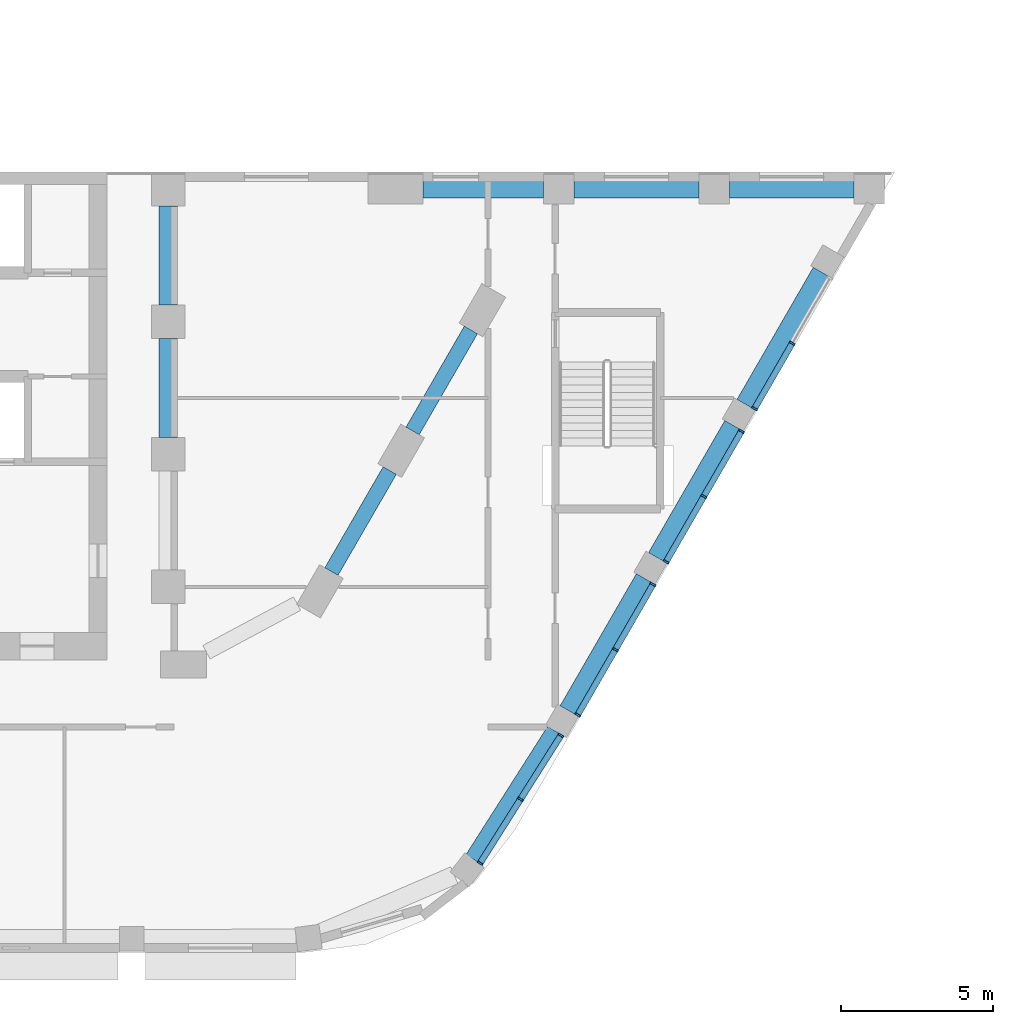
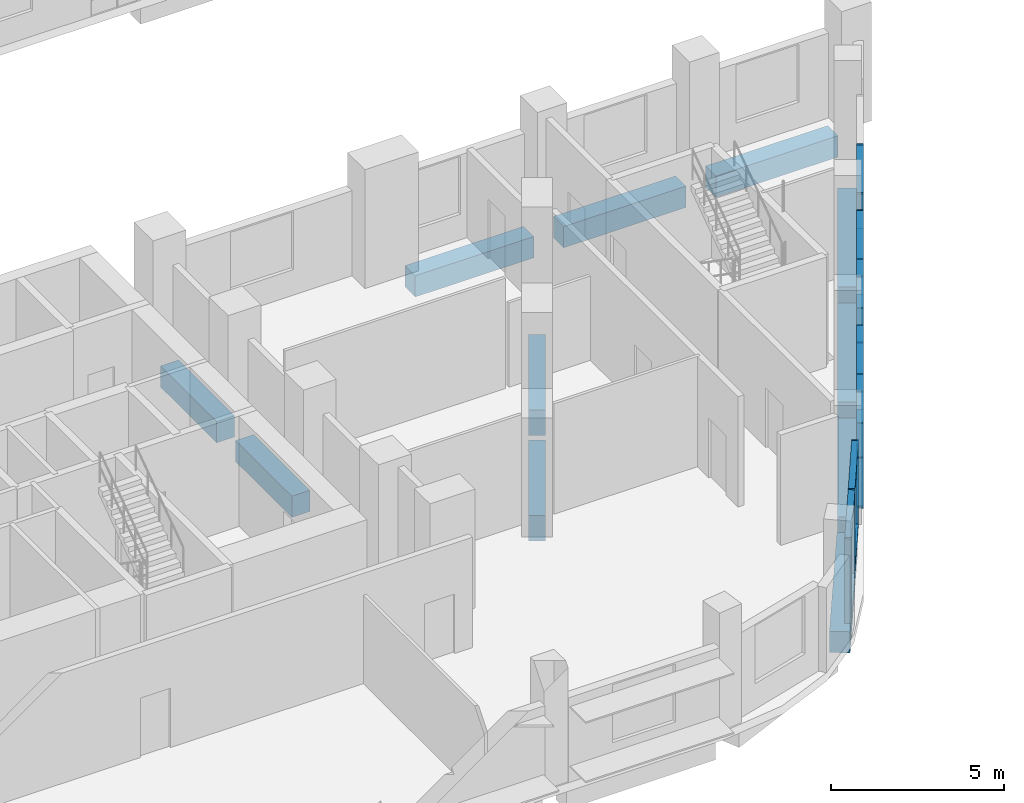
# One storey, part 2 of 33: 25 members, 11 beams, 4 elements without a shape of their own.
"""IFC4 building model written with IfcOpenShell, lengths in metres."""

from ifc_helpers import new_model, si_unit, direction, frame, origin, origin_2d, place, context, subcontext, project, spatial, rectangle, extrude, material, layer, layer_set, material_profile, profile_set, type_object, element, aggregate, save


model = new_model("IFC4")

# Units and contexts
model_context = context("Model", 3, precision=1e-05, world=origin(), true_north=direction((0.0, 1.0)))
body_context = subcontext(model_context, "Body", "Model", "MODEL_VIEW")
ifc_project = project(units=[si_unit("LENGTHUNIT", "METRE"), si_unit("AREAUNIT", "SQUARE_METRE"), si_unit("VOLUMEUNIT", "CUBIC_METRE"), si_unit("PLANEANGLEUNIT", "RADIAN"), si_unit("MASSUNIT", "GRAM", prefix="KILO")], contexts=[model_context])

# Site, building, storey
site_placement = place(None, origin())
site = spatial("IfcSite", under=ifc_project, at=site_placement, CompositionType="ELEMENT")
building_placement = place(site_placement, origin())
building = spatial("IfcBuilding", under=site, at=building_placement, Name="Nakaniwa Court", CompositionType="ELEMENT")
storey_placement = place(building_placement, frame((0.0, 0.0, 19.800048828125)))
storey = spatial("IfcBuildingStorey", under=building, at=storey_placement, Name="L04", CompositionType="ELEMENT", Elevation=19.800048828125)

# Beams
ifc_material_1 = material(Name="Concrete C100/115", Category="concrete")
ifc_material_profile_1 = material_profile(ifc_material_1, rectangle(XDim=0.5, YDim=0.89990234375, at=origin_2d()), Name="Concrete C100/115 RC 500x900 spandrel beam")
ifc_profile_set_1 = profile_set([ifc_material_profile_1], Name="Concrete C100/115")
beam_type_1 = type_object("IfcBeamType", Name="Concrete C100/115 RC 500x900 spandrel beam", PredefinedType="BEAM", material=ifc_profile_set_1)
beam_1_placement = place(storey_placement, frame((95.357421875, 59.5, -0.75), z_axis=(0.500009674092, 0.866019818373, 0.0), x_axis=(-0.866019818373, 0.500009674092, 0.0)))
element("IfcBeam", 1, at=beam_1_placement, inside=storey, type_object=beam_type_1, Name="SPANDREL BEAM", PredefinedType="BEAM", context=body_context, shape_type="SweptSolid", body=[
    extrude(rectangle(XDim=0.5, YDim=0.89990234375, at=origin_2d()), origin(), (0.0, 0.0, 1.0), 3.826171875),
])
beam_2_placement = place(storey_placement, frame((98.0205078125, 64.1123046875, -0.75), z_axis=(0.499961815444, 0.866047448526, 0.0), x_axis=(-0.866047448526, 0.499961815444, 0.0)))
element("IfcBeam", 2, at=beam_2_placement, inside=storey, type_object=beam_type_1, Name="SPANDREL BEAM", PredefinedType="BEAM", context=body_context, shape_type="SweptSolid", body=[
    extrude(rectangle(XDim=0.5, YDim=0.89990234375, at=origin_2d()), origin(), (0.0, 0.0, 1.0), 3.825927734375),
])
ifc_material_profile_2 = material_profile(ifc_material_1, rectangle(XDim=0.60009765625, YDim=0.75, at=origin_2d()), Name="Concrete C100/115 RC 600x750 ring beam")
ifc_profile_set_2 = profile_set([ifc_material_profile_2], Name="Concrete C100/115")
beam_type_2 = type_object("IfcBeamType", Name="Concrete C100/115 RC 600x750 ring beam", PredefinedType="BEAM", material=ifc_profile_set_2)
for number, where, z_axis, x_axis, name in (
    (3, (90.0, 63.89990234375, -0.675048828125), (0.0, 1.0, 0.0), (-1.0, 0.0, 0.0), "RING BEAM"),
    (4, (90.0, 68.25, -0.675048828125), (0.0, 1.0, 0.0), (-1.0, 0.0, 0.0), "RING BEAM"),
):
    element("IfcBeam", number, at=place(storey_placement, frame(where, z_axis=z_axis, x_axis=x_axis)), inside=storey, type_object=beam_type_2, Name=name, PredefinedType="BEAM", context=body_context, shape_type="SweptSolid", body=[
        extrude(rectangle(XDim=0.60009765625, YDim=0.75, at=origin_2d()), origin(), (0.0, 0.0, 1.0), 3.25),
    ])
beam_3_placement = place(storey_placement, frame((100.025390625, 50.0546875, -0.675048828125), z_axis=(0.537280707884, 0.843403486438, 0.0), x_axis=(-0.843403486438, 0.537280707884, 0.0)))
element("IfcBeam", 5, at=beam_3_placement, inside=storey, type_object=beam_type_2, Name="RING BEAM", PredefinedType="BEAM", context=body_context, shape_type="SweptSolid", body=[
    extrude(rectangle(XDim=0.60009765625, YDim=0.75, at=origin_2d()), origin(), (0.0, 0.0, 1.0), 4.9892578125),
])
for number, where, z_axis, x_axis, name in (
    (6, (103.12109375, 54.94677734375, -0.675048828125), (0.499997052475, 0.866027105532, 0.0), (-0.866027105532, 0.499997052475, 0.0), "RING BEAM"),
    (7, (106.022216796875, 59.9716796875, -0.675048828125), (0.499960447986, 0.866048237946, 0.0), (-0.866048237946, 0.499960447986, 0.0), "RING BEAM"),
    (8, (108.92333984375, 64.99658203125, -0.675048828125), (0.499997052475, 0.866027105532, 0.0), (-0.866027105532, 0.499997052475, 0.0), "RING BEAM"),
):
    element("IfcBeam", number, at=place(storey_placement, frame(where, z_axis=z_axis, x_axis=x_axis)), inside=storey, type_object=beam_type_2, Name=name, PredefinedType="BEAM", context=body_context, shape_type="SweptSolid", body=[
        extrude(rectangle(XDim=0.60009765625, YDim=0.75, at=origin_2d()), origin(), (0.0, 0.0, 1.0), 5.00244140625),
    ])
beam_4_placement = place(storey_placement, frame((98.35791015625, 72.050048828125, -0.675048828125), z_axis=(1.0, 0.0, 0.0), x_axis=(0.0, 1.0, 0.0)))
element("IfcBeam", 9, at=beam_4_placement, inside=storey, type_object=beam_type_2, Name="RING BEAM", PredefinedType="BEAM", context=body_context, shape_type="SweptSolid", body=[
    extrude(rectangle(XDim=0.60009765625, YDim=0.75, at=origin_2d()), origin(), (0.0, 0.0, 1.0), 3.965087890625),
])
beam_5_placement = place(storey_placement, frame((103.322998046875, 72.050048828125, -0.675048828125), z_axis=(1.0, 0.0, 0.0), x_axis=(0.0, 1.0, 0.0)))
element("IfcBeam", 10, at=beam_5_placement, inside=storey, type_object=beam_type_2, Name="RING BEAM", PredefinedType="BEAM", context=body_context, shape_type="SweptSolid", body=[
    extrude(rectangle(XDim=0.60009765625, YDim=0.75, at=origin_2d()), origin(), (0.0, 0.0, 1.0), 4.0859375),
])
beam_6_placement = place(storey_placement, frame((108.408935546875, 72.050048828125, -0.675048828125), z_axis=(1.0, 0.0, 0.0), x_axis=(0.0, 1.0, 0.0)))
element("IfcBeam", 11, at=beam_6_placement, inside=storey, type_object=beam_type_2, Name="RING BEAM", PredefinedType="BEAM", context=body_context, shape_type="SweptSolid", body=[
    extrude(rectangle(XDim=0.60009765625, YDim=0.75, at=origin_2d()), origin(), (0.0, 0.0, 1.0), 4.087158203125),
])

# Curtain wall, members
ifc_material_2 = material(Name="Black anodised aluminium frame with dark low-E laminated double glazing", Category="aluminium")
ifc_layer = layer(ifc_material_2, 0.199951171875)
ifc_layer_set = layer_set([ifc_layer], Name="Black anodised aluminium frame with dark low-E laminated double glazing")
curtain_wall_type = type_object("IfcCurtainWallType", Name="Podium unitised curtain wall", PredefinedType="NOTDEFINED", material=ifc_layer_set)
curtain_wall_1_placement = place(storey_placement, origin())
curtain_wall_1 = element("IfcCurtainWall", 12, at=curtain_wall_1_placement, inside=storey, type_object=curtain_wall_type, Name="L04 curtain wall CW1 00", PredefinedType="NOTDEFINED")
ifc_material_3 = material(Name="Black anodised aluminium extrusion", Category="aluminium")
ifc_material_profile_3 = material_profile(ifc_material_3, rectangle(XDim=0.199951171875, YDim=0.06494140625, at=origin_2d()), Name="Podium unitised curtain wall mullion 65x200")
ifc_profile_set_3 = profile_set([ifc_material_profile_3], Name="Black anodised aluminium extrusion")
member_type_1 = type_object("IfcMemberType", Name="Podium unitised curtain wall mullion 65x200", PredefinedType="MULLION", material=ifc_profile_set_3)
member_1_placement = place(storey_placement, frame((103.4384765625, 54.79638671875, 0.0), z_axis=(0.0, 0.0, 1.0), x_axis=(-0.866037354758, 0.499979299736, 0.0)))
member_1 = element("IfcMember", 13, at=member_1_placement, type_object=member_type_1, Name="CW1 mullion 1", PredefinedType="MULLION", context=body_context, shape_type="SweptSolid", body=[
    extrude(rectangle(XDim=0.199951171875, YDim=0.06494140625, at=origin_2d()), origin(), (0.0, 0.0, 1.0), 3.0),
])
member_2_placement = place(storey_placement, frame((104.6748046875, 56.93798828125, 0.0), z_axis=(0.0, 0.0, 1.0), x_axis=(-0.866037354758, 0.499979299736, 0.0)))
member_2 = element("IfcMember", 14, at=member_2_placement, type_object=member_type_1, Name="CW1 mullion 2", PredefinedType="MULLION", context=body_context, shape_type="SweptSolid", body=[
    extrude(rectangle(XDim=0.199951171875, YDim=0.06494140625, at=origin_2d()), origin(), (0.0, 0.0, 1.0), 3.0),
])
member_3_placement = place(storey_placement, frame((105.9111328125, 59.079345703125, 0.0), z_axis=(0.0, 0.0, 1.0), x_axis=(-0.866037354758, 0.499979299736, 0.0)))
member_3 = element("IfcMember", 15, at=member_3_placement, type_object=member_type_1, Name="CW1 mullion 3", PredefinedType="MULLION", context=body_context, shape_type="SweptSolid", body=[
    extrude(rectangle(XDim=0.199951171875, YDim=0.06494140625, at=origin_2d()), origin(), (0.0, 0.0, 1.0), 3.0),
])

curtain_wall_2_placement = place(storey_placement, origin())
curtain_wall_2 = element("IfcCurtainWall", 16, at=curtain_wall_2_placement, inside=storey, type_object=curtain_wall_type, Name="L04 curtain wall CW1 01", PredefinedType="NOTDEFINED")
member_4_placement = place(storey_placement, frame((106.339599609375, 59.821533203125, 0.0), z_axis=(0.0, 0.0, 1.0), x_axis=(-0.866032365426, 0.499987941889, 0.0)))
member_4 = element("IfcMember", 17, at=member_4_placement, type_object=member_type_1, Name="CW1 mullion 1", PredefinedType="MULLION", context=body_context, shape_type="SweptSolid", body=[
    extrude(rectangle(XDim=0.199951171875, YDim=0.06494140625, at=origin_2d()), origin(), (0.0, 0.0, 1.0), 3.0),
])
member_5_placement = place(storey_placement, frame((107.575927734375, 61.962890625, 0.0), z_axis=(0.0, 0.0, 1.0), x_axis=(-0.866032365426, 0.499987941889, 0.0)))
member_5 = element("IfcMember", 18, at=member_5_placement, type_object=member_type_1, Name="CW1 mullion 2", PredefinedType="MULLION", context=body_context, shape_type="SweptSolid", body=[
    extrude(rectangle(XDim=0.199951171875, YDim=0.06494140625, at=origin_2d()), origin(), (0.0, 0.0, 1.0), 3.0),
])
member_6_placement = place(storey_placement, frame((108.812255859375, 64.104248046875, 0.0), z_axis=(0.0, 0.0, 1.0), x_axis=(-0.866032365426, 0.499987941889, 0.0)))
member_6 = element("IfcMember", 19, at=member_6_placement, type_object=member_type_1, Name="CW1 mullion 3", PredefinedType="MULLION", context=body_context, shape_type="SweptSolid", body=[
    extrude(rectangle(XDim=0.199951171875, YDim=0.06494140625, at=origin_2d()), origin(), (0.0, 0.0, 1.0), 3.0),
])

curtain_wall_3_placement = place(storey_placement, origin())
curtain_wall_3 = element("IfcCurtainWall", 20, at=curtain_wall_3_placement, inside=storey, type_object=curtain_wall_type, Name="L04 curtain wall CW1 02", PredefinedType="NOTDEFINED")
member_7_placement = place(storey_placement, frame((109.24072265625, 64.846435546875, 0.0), z_axis=(0.0, 0.0, 1.0), x_axis=(-0.866023723106, 0.500002911009, 0.0)))
member_7 = element("IfcMember", 21, at=member_7_placement, type_object=member_type_1, Name="CW1 mullion 1", PredefinedType="MULLION", context=body_context, shape_type="SweptSolid", body=[
    extrude(rectangle(XDim=0.199951171875, YDim=0.06494140625, at=origin_2d()), origin(), (0.0, 0.0, 1.0), 3.0),
])
member_8_placement = place(storey_placement, frame((110.47705078125, 66.98779296875, 0.0), z_axis=(0.0, 0.0, 1.0), x_axis=(-0.866023723106, 0.500002911009, 0.0)))
member_8 = element("IfcMember", 22, at=member_8_placement, type_object=member_type_1, Name="CW1 mullion 2", PredefinedType="MULLION", context=body_context, shape_type="SweptSolid", body=[
    extrude(rectangle(XDim=0.199951171875, YDim=0.06494140625, at=origin_2d()), origin(), (0.0, 0.0, 1.0), 3.0),
])

curtain_wall_4_placement = place(storey_placement, origin())
curtain_wall_4 = element("IfcCurtainWall", 23, at=curtain_wall_4_placement, inside=storey, type_object=curtain_wall_type, Name="L04 curtain wall CW1 26", PredefinedType="NOTDEFINED")
member_9_placement = place(storey_placement, frame((100.235595703125, 49.93505859375, 0.0), z_axis=(0.0, 0.0, 1.0), x_axis=(-0.845107295343, 0.534596725914, 0.0)))
member_9 = element("IfcMember", 24, at=member_9_placement, type_object=member_type_1, Name="CW1 mullion 1", PredefinedType="MULLION", context=body_context, shape_type="SweptSolid", body=[
    extrude(rectangle(XDim=0.199951171875, YDim=0.06494140625, at=origin_2d()), origin(), (0.0, 0.0, 1.0), 3.0),
])
member_10_placement = place(storey_placement, frame((101.560546875, 52.029541015625, 0.0), z_axis=(0.0, 0.0, 1.0), x_axis=(-0.845107295343, 0.534596725914, 0.0)))
member_10 = element("IfcMember", 25, at=member_10_placement, type_object=member_type_1, Name="CW1 mullion 2", PredefinedType="MULLION", context=body_context, shape_type="SweptSolid", body=[
    extrude(rectangle(XDim=0.199951171875, YDim=0.06494140625, at=origin_2d()), origin(), (0.0, 0.0, 1.0), 3.0),
])
member_11_placement = place(storey_placement, frame((102.885498046875, 54.1240234375, 0.0), z_axis=(0.0, 0.0, 1.0), x_axis=(-0.845107295343, 0.534596725914, 0.0)))
member_11 = element("IfcMember", 26, at=member_11_placement, type_object=member_type_1, Name="CW1 mullion 3", PredefinedType="MULLION", context=body_context, shape_type="SweptSolid", body=[
    extrude(rectangle(XDim=0.199951171875, YDim=0.06494140625, at=origin_2d()), origin(), (0.0, 0.0, 1.0), 3.0),
])

# Member
ifc_material_profile_4 = material_profile(ifc_material_3, rectangle(XDim=0.199951171875, YDim=0.050048828125, at=origin_2d()), Name="Podium unitised curtain wall transom 50x200")
ifc_profile_set_4 = profile_set([ifc_material_profile_4], Name="Black anodised aluminium extrusion")
member_type_2 = type_object("IfcMemberType", Name="Podium unitised curtain wall transom 50x200", PredefinedType="USERDEFINED", material=ifc_profile_set_4)
member_12_placement = place(storey_placement, frame((103.45458984375, 54.82470703125, 0.02490234375), z_axis=(0.50003260427, 0.866006578882, 0.0), x_axis=(-0.866006578882, 0.50003260427, 0.0)))
member_12 = element("IfcMember", 27, at=member_12_placement, type_object=member_type_2, Name="CW1 transom 1.1", ObjectType="TRANSOM", PredefinedType="USERDEFINED", context=body_context, shape_type="SweptSolid", body=[
    extrude(rectangle(XDim=0.199951171875, YDim=0.050048828125, at=origin_2d()), origin(), (0.0, 0.0, 1.0), 2.407470703125),
])

member_13_placement = place(storey_placement, frame((103.45458984375, 54.82470703125, 2.974853515625), z_axis=(0.50003260427, 0.866006578882, 0.0), x_axis=(-0.866006578882, 0.50003260427, 0.0)))
member_13 = element("IfcMember", 28, at=member_13_placement, type_object=member_type_2, Name="CW1 transom 1.2", ObjectType="TRANSOM", PredefinedType="USERDEFINED", context=body_context, shape_type="SweptSolid", body=[
    extrude(rectangle(XDim=0.199951171875, YDim=0.050048828125, at=origin_2d()), origin(), (0.0, 0.0, 1.0), 2.407470703125),
])

member_14_placement = place(storey_placement, frame((104.69091796875, 56.966064453125, 0.02490234375), z_axis=(0.499988695522, 0.866031930329, 0.0), x_axis=(-0.866031930329, 0.499988695522, 0.0)))
member_14 = element("IfcMember", 29, at=member_14_placement, type_object=member_type_2, Name="CW1 transom 2.1", ObjectType="TRANSOM", PredefinedType="USERDEFINED", context=body_context, shape_type="SweptSolid", body=[
    extrude(rectangle(XDim=0.199951171875, YDim=0.050048828125, at=origin_2d()), origin(), (0.0, 0.0, 1.0), 2.40771484375),
])

member_15_placement = place(storey_placement, frame((104.69091796875, 56.966064453125, 2.974853515625), z_axis=(0.499988695522, 0.866031930329, 0.0), x_axis=(-0.866031930329, 0.499988695522, 0.0)))
member_15 = element("IfcMember", 30, at=member_15_placement, type_object=member_type_2, Name="CW1 transom 2.2", ObjectType="TRANSOM", PredefinedType="USERDEFINED", context=body_context, shape_type="SweptSolid", body=[
    extrude(rectangle(XDim=0.199951171875, YDim=0.050048828125, at=origin_2d()), origin(), (0.0, 0.0, 1.0), 2.40771484375),
])

aggregate(curtain_wall_1, [member_1, member_2, member_3, member_12, member_13, member_14, member_15])

member_16_placement = place(storey_placement, frame((106.355712890625, 59.849609375, 0.02490234375), z_axis=(0.499988695522, 0.866031930329, 0.0), x_axis=(-0.866031930329, 0.499988695522, 0.0)))
member_16 = element("IfcMember", 31, at=member_16_placement, type_object=member_type_2, Name="CW1 transom 1.1", ObjectType="TRANSOM", PredefinedType="USERDEFINED", context=body_context, shape_type="SweptSolid", body=[
    extrude(rectangle(XDim=0.199951171875, YDim=0.050048828125, at=origin_2d()), origin(), (0.0, 0.0, 1.0), 2.40771484375),
])

member_17_placement = place(storey_placement, frame((106.355712890625, 59.849609375, 2.974853515625), z_axis=(0.499988695522, 0.866031930329, 0.0), x_axis=(-0.866031930329, 0.499988695522, 0.0)))
member_17 = element("IfcMember", 32, at=member_17_placement, type_object=member_type_2, Name="CW1 transom 1.2", ObjectType="TRANSOM", PredefinedType="USERDEFINED", context=body_context, shape_type="SweptSolid", body=[
    extrude(rectangle(XDim=0.199951171875, YDim=0.050048828125, at=origin_2d()), origin(), (0.0, 0.0, 1.0), 2.40771484375),
])

member_18_placement = place(storey_placement, frame((107.592041015625, 61.990966796875, 0.02490234375), z_axis=(0.499988695522, 0.866031930329, 0.0), x_axis=(-0.866031930329, 0.499988695522, 0.0)))
member_18 = element("IfcMember", 33, at=member_18_placement, type_object=member_type_2, Name="CW1 transom 2.1", ObjectType="TRANSOM", PredefinedType="USERDEFINED", context=body_context, shape_type="SweptSolid", body=[
    extrude(rectangle(XDim=0.199951171875, YDim=0.050048828125, at=origin_2d()), origin(), (0.0, 0.0, 1.0), 2.40771484375),
])

member_19_placement = place(storey_placement, frame((107.592041015625, 61.990966796875, 2.974853515625), z_axis=(0.499988695522, 0.866031930329, 0.0), x_axis=(-0.866031930329, 0.499988695522, 0.0)))
member_19 = element("IfcMember", 34, at=member_19_placement, type_object=member_type_2, Name="CW1 transom 2.2", ObjectType="TRANSOM", PredefinedType="USERDEFINED", context=body_context, shape_type="SweptSolid", body=[
    extrude(rectangle(XDim=0.199951171875, YDim=0.050048828125, at=origin_2d()), origin(), (0.0, 0.0, 1.0), 2.40771484375),
])

aggregate(curtain_wall_2, [member_4, member_5, member_6, member_16, member_17, member_18, member_19])

member_20_placement = place(storey_placement, frame((109.2568359375, 64.87451171875, 0.02490234375), z_axis=(0.499988695522, 0.866031930329, 0.0), x_axis=(-0.866031930329, 0.499988695522, 0.0)))
member_20 = element("IfcMember", 35, at=member_20_placement, type_object=member_type_2, Name="CW1 transom 1.1", ObjectType="TRANSOM", PredefinedType="USERDEFINED", context=body_context, shape_type="SweptSolid", body=[
    extrude(rectangle(XDim=0.199951171875, YDim=0.050048828125, at=origin_2d()), origin(), (0.0, 0.0, 1.0), 2.40771484375),
])

member_21_placement = place(storey_placement, frame((109.2568359375, 64.87451171875, 2.974853515625), z_axis=(0.499988695522, 0.866031930329, 0.0), x_axis=(-0.866031930329, 0.499988695522, 0.0)))
member_21 = element("IfcMember", 36, at=member_21_placement, type_object=member_type_2, Name="CW1 transom 1.2", ObjectType="TRANSOM", PredefinedType="USERDEFINED", context=body_context, shape_type="SweptSolid", body=[
    extrude(rectangle(XDim=0.199951171875, YDim=0.050048828125, at=origin_2d()), origin(), (0.0, 0.0, 1.0), 2.40771484375),
])

aggregate(curtain_wall_3, [member_7, member_8, member_20, member_21])

member_22_placement = place(storey_placement, frame((100.2529296875, 49.96240234375, 0.02490234375), z_axis=(0.534628443241, 0.84508723081, 0.0), x_axis=(-0.84508723081, 0.534628443241, 0.0)))
member_22 = element("IfcMember", 37, at=member_22_placement, type_object=member_type_2, Name="CW1 transom 1.1", ObjectType="TRANSOM", PredefinedType="USERDEFINED", context=body_context, shape_type="SweptSolid", body=[
    extrude(rectangle(XDim=0.199951171875, YDim=0.050048828125, at=origin_2d()), origin(), (0.0, 0.0, 1.0), 2.413330078125),
])

member_23_placement = place(storey_placement, frame((100.2529296875, 49.96240234375, 2.974853515625), z_axis=(0.534628443241, 0.84508723081, 0.0), x_axis=(-0.84508723081, 0.534628443241, 0.0)))
member_23 = element("IfcMember", 38, at=member_23_placement, type_object=member_type_2, Name="CW1 transom 1.2", ObjectType="TRANSOM", PredefinedType="USERDEFINED", context=body_context, shape_type="SweptSolid", body=[
    extrude(rectangle(XDim=0.199951171875, YDim=0.050048828125, at=origin_2d()), origin(), (0.0, 0.0, 1.0), 2.413330078125),
])

member_24_placement = place(storey_placement, frame((101.577880859375, 52.056884765625, 0.02490234375), z_axis=(0.534628443241, 0.84508723081, 0.0), x_axis=(-0.84508723081, 0.534628443241, 0.0)))
member_24 = element("IfcMember", 39, at=member_24_placement, type_object=member_type_2, Name="CW1 transom 2.1", ObjectType="TRANSOM", PredefinedType="USERDEFINED", context=body_context, shape_type="SweptSolid", body=[
    extrude(rectangle(XDim=0.199951171875, YDim=0.050048828125, at=origin_2d()), origin(), (0.0, 0.0, 1.0), 2.413330078125),
])

member_25_placement = place(storey_placement, frame((101.577880859375, 52.056884765625, 2.974853515625), z_axis=(0.534628443241, 0.84508723081, 0.0), x_axis=(-0.84508723081, 0.534628443241, 0.0)))
member_25 = element("IfcMember", 40, at=member_25_placement, type_object=member_type_2, Name="CW1 transom 2.2", ObjectType="TRANSOM", PredefinedType="USERDEFINED", context=body_context, shape_type="SweptSolid", body=[
    extrude(rectangle(XDim=0.199951171875, YDim=0.050048828125, at=origin_2d()), origin(), (0.0, 0.0, 1.0), 2.413330078125),
])

aggregate(curtain_wall_4, [member_9, member_10, member_11, member_22, member_23, member_24, member_25])

save(model, "model.ifc")
